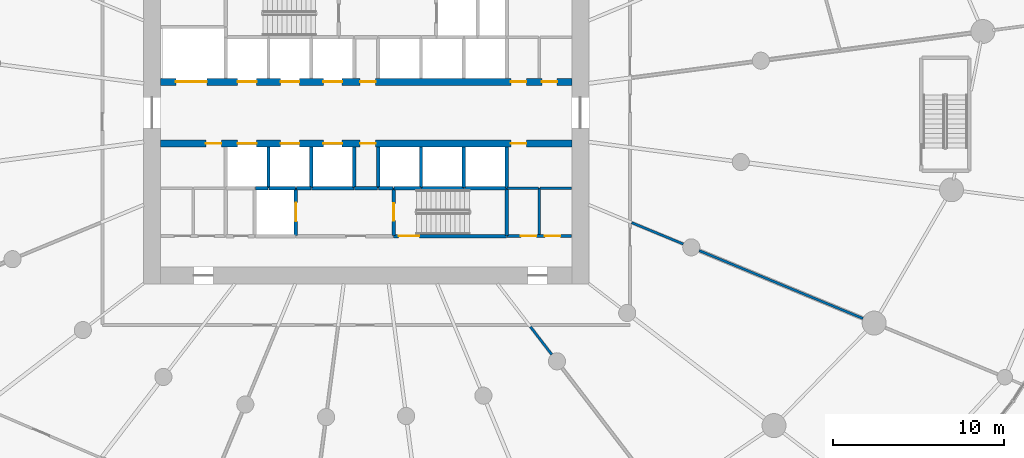
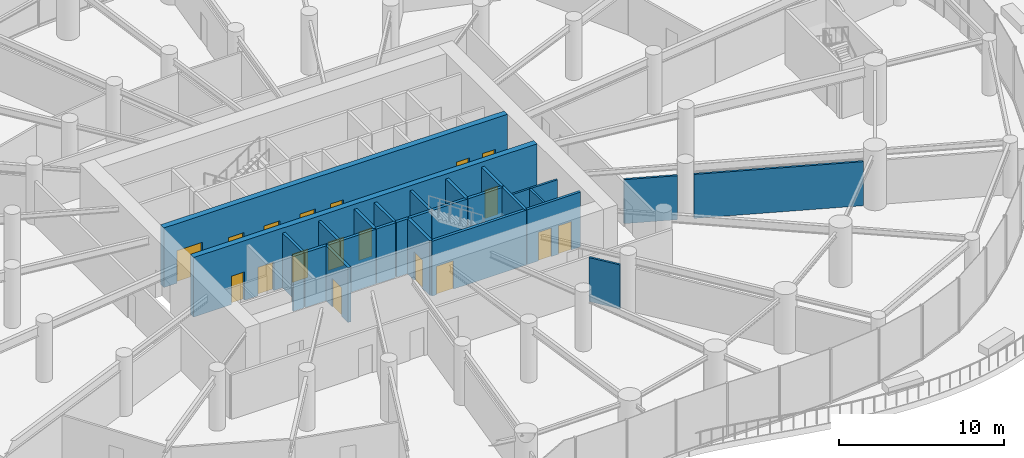
# One storey, part 12 of 19: 29 walls, 18 doors, 18 openings.
"""IFC4 building model written with IfcOpenShell, lengths in metres."""

from ifc_helpers import new_model, si_unit, direction, frame, frame_2d, origin, place, context, subcontext, project, spatial, rectangle, extrude, source, transform, mapped, material, layer, layer_set, type_object, element, fill, save


model = new_model("IFC4")

# Units and contexts
model_context = context("Model", 3, precision=1e-05, world=origin(), true_north=direction((0.0, 1.0)))
body_context = subcontext(model_context, "Body", "Model", "MODEL_VIEW")
ifc_project = project(units=[si_unit("LENGTHUNIT", "METRE"), si_unit("AREAUNIT", "SQUARE_METRE"), si_unit("VOLUMEUNIT", "CUBIC_METRE"), si_unit("PLANEANGLEUNIT", "RADIAN"), si_unit("MASSUNIT", "GRAM", prefix="KILO")], contexts=[model_context])

# Site, building, storey
site_placement = place(None, origin())
site = spatial("IfcSite", under=ifc_project, at=site_placement, CompositionType="ELEMENT")
building_placement = place(site_placement, origin())
building = spatial("IfcBuilding", under=site, at=building_placement, Name="Spindrift Exchange Tower", CompositionType="ELEMENT")
storey_placement = place(building_placement, frame((0.0, 0.0, 13.800048828125)))
storey = spatial("IfcBuildingStorey", under=building, at=storey_placement, Name="L03", CompositionType="ELEMENT", Elevation=13.800048828125)

# Wall, openings, doors
ifc_material_1 = material(Name="Concrete 80 MPa", Category="concrete")
ifc_layer_1 = layer(ifc_material_1, 0.39990234375)
ifc_layer_set_1 = layer_set([ifc_layer_1], Name="RC Spine Wall 400 Concrete 80 MPa")
wall_type_1 = type_object("IfcWallType", Name="RC Spine Wall 400 Concrete 80 MPa", PredefinedType="SHEAR", material=ifc_layer_set_1)
wall_1_placement = place(storey_placement, frame((40.0, 49.800048828125, 0.0), z_axis=(0.0, 0.0, 1.0), x_axis=(1.0, 0.0, 0.0)))
wall_1 = element("IfcWall", 1, at=wall_1_placement, inside=storey, type_object=wall_type_1, Name="Core spine wall N L03", PredefinedType="SHEAR", context=body_context, shape_type="SweptSolid", body=[
    extrude(rectangle(XDim=24.0, YDim=0.39990234375, at=frame_2d((12.0, 0.0))), origin(), (0.0, 0.0, 1.0), 4.39990234375),
])
opening_1_placement = place(wall_1_placement, frame((4.5, 0.0, 0.0)))
opening_1 = element("IfcOpeningElement", 2, at=opening_1_placement, cuts=wall_1, Name="Opening L03-D3", PredefinedType="OPENING", context=body_context, shape_type="SweptSolid", body=[
    extrude(rectangle(XDim=1.10009765625, YDim=2.10009765625, at=frame_2d((0.550048828125, 1.050048828125))), frame((0.0, 0.2099609375, 0.0), z_axis=(0.0, -1.0, 0.0), x_axis=(1.0, 0.0, 0.0)), (0.0, 0.0, 1.0), 0.419921875),
])
opening_2_placement = place(wall_1_placement, frame((7.0, 0.0, 0.0)))
opening_2 = element("IfcOpeningElement", 3, at=opening_2_placement, cuts=wall_1, Name="Opening L03-D4", PredefinedType="OPENING", context=body_context, shape_type="SweptSolid", body=[
    extrude(rectangle(XDim=1.10009765625, YDim=2.10009765625, at=frame_2d((0.550048828125, 1.050048828125))), frame((0.0, 0.2099609375, 0.0), z_axis=(0.0, -1.0, 0.0), x_axis=(1.0, 0.0, 0.0)), (0.0, 0.0, 1.0), 0.419921875),
])
opening_3_placement = place(wall_1_placement, frame((9.5, 0.0, 0.0)))
opening_3 = element("IfcOpeningElement", 4, at=opening_3_placement, cuts=wall_1, Name="Opening L03-D5", PredefinedType="OPENING", context=body_context, shape_type="SweptSolid", body=[
    extrude(rectangle(XDim=1.10009765625, YDim=2.10009765625, at=frame_2d((0.550048828125, 1.050048828125))), frame((0.0, 0.2099609375, 0.0), z_axis=(0.0, -1.0, 0.0), x_axis=(1.0, 0.0, 0.0)), (0.0, 0.0, 1.0), 0.419921875),
])
opening_4_placement = place(wall_1_placement, frame((0.89990234375, 0.0, 0.0)))
opening_4 = element("IfcOpeningElement", 5, at=opening_4_placement, cuts=wall_1, Name="Opening L03-D12", PredefinedType="OPENING", context=body_context, shape_type="SweptSolid", body=[
    extrude(rectangle(XDim=1.800048828125, YDim=2.39990234375, at=frame_2d((0.89990234375, 1.199951171875))), frame((0.0, 0.2099609375, 0.0), z_axis=(0.0, -1.0, 0.0), x_axis=(1.0, 0.0, 0.0)), (0.0, 0.0, 1.0), 0.419921875),
])
opening_5_placement = place(wall_1_placement, frame((20.449951171875, 0.0, 0.0)))
opening_5 = element("IfcOpeningElement", 6, at=opening_5_placement, cuts=wall_1, Name="Opening L03-D46", PredefinedType="OPENING", context=body_context, shape_type="SweptSolid", body=[
    extrude(rectangle(XDim=0.89990234375, YDim=2.10009765625, at=frame_2d((0.449951171875, 1.050048828125))), frame((0.0, 0.2099609375, 0.0), z_axis=(0.0, -1.0, 0.0), x_axis=(1.0, 0.0, 0.0)), (0.0, 0.0, 1.0), 0.419921875),
])
opening_6_placement = place(wall_1_placement, frame((22.25, 0.0, 0.0)))
opening_6 = element("IfcOpeningElement", 7, at=opening_6_placement, cuts=wall_1, Name="Opening L03-D47", PredefinedType="OPENING", context=body_context, shape_type="SweptSolid", body=[
    extrude(rectangle(XDim=0.89990234375, YDim=2.10009765625, at=frame_2d((0.449951171875, 1.050048828125))), frame((0.0, 0.2099609375, 0.0), z_axis=(0.0, -1.0, 0.0), x_axis=(1.0, 0.0, 0.0)), (0.0, 0.0, 1.0), 0.419921875),
])
opening_7_placement = place(wall_1_placement, frame((11.64990234375, 0.0, 0.0)))
opening_7 = element("IfcOpeningElement", 8, at=opening_7_placement, cuts=wall_1, Name="Opening L03-D52", PredefinedType="OPENING", context=body_context, shape_type="SweptSolid", body=[
    extrude(rectangle(XDim=0.89990234375, YDim=2.10009765625, at=frame_2d((0.449951171875, 1.050048828125))), frame((0.0, 0.2099609375, 0.0), z_axis=(0.0, -1.0, 0.0), x_axis=(1.0, 0.0, 0.0)), (0.0, 0.0, 1.0), 0.419921875),
])
ifc_material_2 = material(Name="Stainless steel landing door", Category="steel")
door_type_1 = type_object("IfcDoorType", Name="DR-LANDING-1100-SL", OperationType="DOUBLE_DOOR_SLIDING", PredefinedType="USERDEFINED", material=ifc_material_2)
shared_shape_1 = source(origin(), body_context, "Body", "SweptSolid", [
    extrude(rectangle(XDim=1.10009765625, YDim=2.10009765625, at=frame_2d((0.550048828125, 1.050048828125))), frame((0.0, 0.02490234375, 0.0), z_axis=(0.0, -1.0, 0.0), x_axis=(1.0, 0.0, 0.0)), (0.0, 0.0, 1.0), 0.050048828125),
])
door_1_placement = place(opening_1_placement, origin())
door_1 = element("IfcDoor", 9, at=door_1_placement, inside=storey, type_object=door_type_1, Name="L03 Lift landing door 3", ObjectType="LANDING DOOR", OperationType="DOUBLE_DOOR_SLIDING", OverallHeight=2.10009765625, OverallWidth=1.10009765625, PredefinedType="USERDEFINED", context=body_context, shape_type="MappedRepresentation", body=[
    mapped(shared_shape_1, transform((0.0, 0.0, 0.0), scale=1.0)),
])
fill(opening_1, door_1)
door_2_placement = place(opening_2_placement, origin())
door_2 = element("IfcDoor", 10, at=door_2_placement, inside=storey, type_object=door_type_1, Name="L03 Lift landing door 4", ObjectType="LANDING DOOR", OperationType="DOUBLE_DOOR_SLIDING", OverallHeight=2.10009765625, OverallWidth=1.10009765625, PredefinedType="USERDEFINED", context=body_context, shape_type="MappedRepresentation", body=[
    mapped(shared_shape_1, transform((0.0, 0.0, 0.0), scale=1.0)),
])
fill(opening_2, door_2)
door_3_placement = place(opening_3_placement, origin())
door_3 = element("IfcDoor", 11, at=door_3_placement, inside=storey, type_object=door_type_1, Name="L03 Lift landing door 5", ObjectType="LANDING DOOR", OperationType="DOUBLE_DOOR_SLIDING", OverallHeight=2.10009765625, OverallWidth=1.10009765625, PredefinedType="USERDEFINED", context=body_context, shape_type="MappedRepresentation", body=[
    mapped(shared_shape_1, transform((0.0, 0.0, 0.0), scale=1.0)),
])
fill(opening_3, door_3)
door_type_2 = type_object("IfcDoorType", Name="DR-LANDING-1800-SL", OperationType="DOUBLE_DOOR_SLIDING", PredefinedType="USERDEFINED", material=ifc_material_2)
shared_shape_2 = source(origin(), body_context, "Body", "SweptSolid", [
    extrude(rectangle(XDim=1.800048828125, YDim=2.39990234375, at=frame_2d((0.89990234375, 1.199951171875))), frame((0.0, 0.02490234375, 0.0), z_axis=(0.0, -1.0, 0.0), x_axis=(1.0, 0.0, 0.0)), (0.0, 0.0, 1.0), 0.050048828125),
])
door_4_placement = place(opening_4_placement, origin())
door_4 = element("IfcDoor", 12, at=door_4_placement, inside=storey, type_object=door_type_2, Name="L03 Lift landing door 12", ObjectType="LANDING DOOR", OperationType="DOUBLE_DOOR_SLIDING", OverallHeight=2.39990234375, OverallWidth=1.800048828125, PredefinedType="USERDEFINED", context=body_context, shape_type="MappedRepresentation", body=[
    mapped(shared_shape_2, transform((0.0, 0.0, 0.0), scale=1.0)),
])
fill(opening_4, door_4)
ifc_material_3 = material(Name="Steel access door", Category="steel")
door_type_3 = type_object("IfcDoorType", Name="DR-RISER-900", OperationType="NOTDEFINED", PredefinedType="DOOR", material=ifc_material_3)
shared_shape_3 = source(origin(), body_context, "Body", "SweptSolid", [
    extrude(rectangle(XDim=0.89990234375, YDim=2.10009765625, at=frame_2d((0.449951171875, 1.050048828125))), frame((0.0, 0.02490234375, 0.0), z_axis=(0.0, -1.0, 0.0), x_axis=(1.0, 0.0, 0.0)), (0.0, 0.0, 1.0), 0.050048828125),
])
door_5_placement = place(opening_5_placement, origin())
door_5 = element("IfcDoor", 13, at=door_5_placement, inside=storey, type_object=door_type_3, Name="L03 Riser door 46", OperationType="SINGLE_SWING_RIGHT", OverallHeight=2.10009765625, OverallWidth=0.89990234375, PredefinedType="DOOR", context=body_context, shape_type="MappedRepresentation", body=[
    mapped(shared_shape_3, transform((0.0, 0.0, 0.0), scale=1.0)),
])
fill(opening_5, door_5)
door_6_placement = place(opening_6_placement, origin())
door_6 = element("IfcDoor", 14, at=door_6_placement, inside=storey, type_object=door_type_3, Name="L03 Riser door 47", OperationType="SINGLE_SWING_LEFT", OverallHeight=2.10009765625, OverallWidth=0.89990234375, PredefinedType="DOOR", context=body_context, shape_type="MappedRepresentation", body=[
    mapped(shared_shape_3, transform((0.0, 0.0, 0.0), scale=1.0)),
])
fill(opening_6, door_6)
door_7_placement = place(opening_7_placement, origin())
door_7 = element("IfcDoor", 15, at=door_7_placement, inside=storey, type_object=door_type_3, Name="L03 Riser door 52", OperationType="SINGLE_SWING_RIGHT", OverallHeight=2.10009765625, OverallWidth=0.89990234375, PredefinedType="DOOR", context=body_context, shape_type="MappedRepresentation", body=[
    mapped(shared_shape_3, transform((0.0, 0.0, 0.0), scale=1.0)),
])
fill(opening_7, door_7)

wall_2_placement = place(storey_placement, frame((40.0, 46.199951171875, 0.0), z_axis=(0.0, 0.0, 1.0), x_axis=(1.0, 0.0, 0.0)))
wall_2 = element("IfcWall", 16, at=wall_2_placement, inside=storey, type_object=wall_type_1, Name="Core spine wall S L03", PredefinedType="SHEAR", context=body_context, shape_type="SweptSolid", body=[
    extrude(rectangle(XDim=24.0, YDim=0.39990234375, at=frame_2d((12.0, 0.0))), origin(), (0.0, 0.0, 1.0), 4.39990234375),
])
opening_8_placement = place(wall_2_placement, frame((4.5, 0.0, 0.0)))
opening_8 = element("IfcOpeningElement", 17, at=opening_8_placement, cuts=wall_2, Name="Opening L03-D6", PredefinedType="OPENING", context=body_context, shape_type="SweptSolid", body=[
    extrude(rectangle(XDim=1.10009765625, YDim=2.10009765625, at=frame_2d((0.550048828125, 1.050048828125))), frame((0.0, 0.2099609375, 0.0), z_axis=(0.0, -1.0, 0.0), x_axis=(1.0, 0.0, 0.0)), (0.0, 0.0, 1.0), 0.419921875),
])
opening_9_placement = place(wall_2_placement, frame((7.0, 0.0, 0.0)))
opening_9 = element("IfcOpeningElement", 18, at=opening_9_placement, cuts=wall_2, Name="Opening L03-D7", PredefinedType="OPENING", context=body_context, shape_type="SweptSolid", body=[
    extrude(rectangle(XDim=1.10009765625, YDim=2.10009765625, at=frame_2d((0.550048828125, 1.050048828125))), frame((0.0, 0.2099609375, 0.0), z_axis=(0.0, -1.0, 0.0), x_axis=(1.0, 0.0, 0.0)), (0.0, 0.0, 1.0), 0.419921875),
])
opening_10_placement = place(wall_2_placement, frame((9.5, 0.0, 0.0)))
opening_10 = element("IfcOpeningElement", 19, at=opening_10_placement, cuts=wall_2, Name="Opening L03-D8", PredefinedType="OPENING", context=body_context, shape_type="SweptSolid", body=[
    extrude(rectangle(XDim=1.10009765625, YDim=2.10009765625, at=frame_2d((0.550048828125, 1.050048828125))), frame((0.0, 0.2099609375, 0.0), z_axis=(0.0, -1.0, 0.0), x_axis=(1.0, 0.0, 0.0)), (0.0, 0.0, 1.0), 0.419921875),
])
opening_11_placement = place(wall_2_placement, frame((20.449951171875, 0.0, 0.0)))
opening_11 = element("IfcOpeningElement", 20, at=opening_11_placement, cuts=wall_2, Name="Opening L03-D45", PredefinedType="OPENING", context=body_context, shape_type="SweptSolid", body=[
    extrude(rectangle(XDim=0.89990234375, YDim=2.10009765625, at=frame_2d((0.449951171875, 1.050048828125))), frame((0.0, 0.2099609375, 0.0), z_axis=(0.0, -1.0, 0.0), x_axis=(1.0, 0.0, 0.0)), (0.0, 0.0, 1.0), 0.419921875),
])
opening_12_placement = place(wall_2_placement, frame((2.64990234375, 0.0, 0.0)))
opening_12 = element("IfcOpeningElement", 21, at=opening_12_placement, cuts=wall_2, Name="Opening L03-D51", PredefinedType="OPENING", context=body_context, shape_type="SweptSolid", body=[
    extrude(rectangle(XDim=0.89990234375, YDim=2.10009765625, at=frame_2d((0.449951171875, 1.050048828125))), frame((0.0, 0.2099609375, 0.0), z_axis=(0.0, -1.0, 0.0), x_axis=(1.0, 0.0, 0.0)), (0.0, 0.0, 1.0), 0.419921875),
])
opening_13_placement = place(wall_2_placement, frame((11.64990234375, 0.0, 0.0)))
opening_13 = element("IfcOpeningElement", 22, at=opening_13_placement, cuts=wall_2, Name="Opening L03-D53", PredefinedType="OPENING", context=body_context, shape_type="SweptSolid", body=[
    extrude(rectangle(XDim=0.89990234375, YDim=2.10009765625, at=frame_2d((0.449951171875, 1.050048828125))), frame((0.0, 0.2099609375, 0.0), z_axis=(0.0, -1.0, 0.0), x_axis=(1.0, 0.0, 0.0)), (0.0, 0.0, 1.0), 0.419921875),
])
door_8_placement = place(opening_8_placement, origin())
door_8 = element("IfcDoor", 23, at=door_8_placement, inside=storey, type_object=door_type_1, Name="L03 Lift landing door 6", ObjectType="LANDING DOOR", OperationType="DOUBLE_DOOR_SLIDING", OverallHeight=2.10009765625, OverallWidth=1.10009765625, PredefinedType="USERDEFINED", context=body_context, shape_type="MappedRepresentation", body=[
    mapped(shared_shape_1, transform((0.0, 0.0, 0.0), scale=1.0)),
])
fill(opening_8, door_8)
door_9_placement = place(opening_9_placement, origin())
door_9 = element("IfcDoor", 24, at=door_9_placement, inside=storey, type_object=door_type_1, Name="L03 Lift landing door 7", ObjectType="LANDING DOOR", OperationType="DOUBLE_DOOR_SLIDING", OverallHeight=2.10009765625, OverallWidth=1.10009765625, PredefinedType="USERDEFINED", context=body_context, shape_type="MappedRepresentation", body=[
    mapped(shared_shape_1, transform((0.0, 0.0, 0.0), scale=1.0)),
])
fill(opening_9, door_9)
door_10_placement = place(opening_10_placement, origin())
door_10 = element("IfcDoor", 25, at=door_10_placement, inside=storey, type_object=door_type_1, Name="L03 Lift landing door 8", ObjectType="LANDING DOOR", OperationType="DOUBLE_DOOR_SLIDING", OverallHeight=2.10009765625, OverallWidth=1.10009765625, PredefinedType="USERDEFINED", context=body_context, shape_type="MappedRepresentation", body=[
    mapped(shared_shape_1, transform((0.0, 0.0, 0.0), scale=1.0)),
])
fill(opening_10, door_10)
door_11_placement = place(opening_11_placement, origin())
door_11 = element("IfcDoor", 26, at=door_11_placement, inside=storey, type_object=door_type_3, Name="L03 Riser door 45", OperationType="SINGLE_SWING_LEFT", OverallHeight=2.10009765625, OverallWidth=0.89990234375, PredefinedType="DOOR", context=body_context, shape_type="MappedRepresentation", body=[
    mapped(shared_shape_3, transform((0.0, 0.0, 0.0), scale=1.0)),
])
fill(opening_11, door_11)
door_12_placement = place(opening_12_placement, origin())
door_12 = element("IfcDoor", 27, at=door_12_placement, inside=storey, type_object=door_type_3, Name="L03 Riser door 51", OperationType="SINGLE_SWING_LEFT", OverallHeight=2.10009765625, OverallWidth=0.89990234375, PredefinedType="DOOR", context=body_context, shape_type="MappedRepresentation", body=[
    mapped(shared_shape_3, transform((0.0, 0.0, 0.0), scale=1.0)),
])
fill(opening_12, door_12)
door_13_placement = place(opening_13_placement, origin())
door_13 = element("IfcDoor", 28, at=door_13_placement, inside=storey, type_object=door_type_3, Name="L03 Riser door 53", OperationType="SINGLE_SWING_LEFT", OverallHeight=2.10009765625, OverallWidth=0.89990234375, PredefinedType="DOOR", context=body_context, shape_type="MappedRepresentation", body=[
    mapped(shared_shape_3, transform((0.0, 0.0, 0.0), scale=1.0)),
])
fill(opening_13, door_13)

ifc_material_4 = material(Name="Fire-rated plasterboard partition", Category="gypsum")
ifc_layer_2 = layer(ifc_material_4, 0.179931640625)
ifc_layer_set_2 = layer_set([ifc_layer_2], Name="W-CORR-180")
wall_type_2 = type_object("IfcWallType", Name="W-CORR-180", PredefinedType="PARTITIONING", material=ifc_layer_set_2)
wall_3_placement = place(storey_placement, frame((60.22998046875, 40.800048828125, 0.0), z_axis=(0.0, 0.0, 1.0), x_axis=(1.0, 0.0, 0.0)))
wall_3 = element("IfcWall", 29, at=wall_3_placement, inside=storey, type_object=wall_type_2, Name="L03 Partition wall 67", PredefinedType="PARTITIONING", context=body_context, shape_type="SweptSolid", body=[
    extrude(rectangle(XDim=3.75, YDim=0.179931640625, at=frame_2d((1.875, 0.0))), origin(), (0.0, 0.0, 1.0), 4.050048828125),
])
opening_14_placement = place(wall_3_placement, frame((0.800048828125, 0.0, 0.0)))
opening_14 = element("IfcOpeningElement", 30, at=opening_14_placement, cuts=wall_3, Name="Opening L03-D49", PredefinedType="OPENING", context=body_context, shape_type="SweptSolid", body=[
    extrude(rectangle(XDim=0.89990234375, YDim=2.10009765625, at=frame_2d((0.449951171875, 1.050048828125))), frame((0.0, 0.099853515625, 0.0), z_axis=(0.0, -1.0, 0.0), x_axis=(1.0, 0.0, 0.0)), (0.0, 0.0, 1.0), 0.199951171875),
])
opening_15_placement = place(wall_3_placement, frame((2.199951171875, 0.0, 0.0)))
opening_15 = element("IfcOpeningElement", 31, at=opening_15_placement, cuts=wall_3, Name="Opening L03-D50", PredefinedType="OPENING", context=body_context, shape_type="SweptSolid", body=[
    extrude(rectangle(XDim=0.89990234375, YDim=2.10009765625, at=frame_2d((0.449951171875, 1.050048828125))), frame((0.0, 0.099853515625, 0.0), z_axis=(0.0, -1.0, 0.0), x_axis=(1.0, 0.0, 0.0)), (0.0, 0.0, 1.0), 0.199951171875),
])
door_14_placement = place(opening_14_placement, origin())
door_14 = element("IfcDoor", 32, at=door_14_placement, inside=storey, type_object=door_type_3, Name="L03 Riser door 49", OperationType="SINGLE_SWING_LEFT", OverallHeight=2.10009765625, OverallWidth=0.89990234375, PredefinedType="DOOR", context=body_context, shape_type="MappedRepresentation", body=[
    mapped(shared_shape_3, transform((0.0, 0.0, 0.0), scale=1.0)),
])
fill(opening_14, door_14)
door_15_placement = place(opening_15_placement, origin())
door_15 = element("IfcDoor", 33, at=door_15_placement, inside=storey, type_object=door_type_3, Name="L03 Riser door 50", OperationType="SINGLE_SWING_RIGHT", OverallHeight=2.10009765625, OverallWidth=0.89990234375, PredefinedType="DOOR", context=body_context, shape_type="MappedRepresentation", body=[
    mapped(shared_shape_3, transform((0.0, 0.0, 0.0), scale=1.0)),
])
fill(opening_15, door_15)

# Walls
ifc_layer_3 = layer(ifc_material_4, 0.139892578125)
ifc_layer_set_3 = layer_set([ifc_layer_3], Name="W-PART-140")
wall_type_3 = type_object("IfcWallType", Name="W-PART-140", PredefinedType="PARTITIONING", material=ifc_layer_set_3)
wall_4_placement = place(storey_placement, frame((71.439208984375, 39.947998046875, 0.0), z_axis=(0.0, 0.0, 1.0), x_axis=(0.923874685699, -0.382695133396, 0.0)))
element("IfcWall", 34, at=wall_4_placement, inside=storey, type_object=wall_type_3, Name="L03 Partition wall 69", PredefinedType="PARTITIONING", context=body_context, shape_type="SweptSolid", body=[
    extrude(rectangle(XDim=10.341064453125, YDim=0.139892578125, at=frame_2d((5.17041015625, 0.0))), origin(), (0.0, 0.0, 1.0), 3.25),
])
wall_5_placement = place(storey_placement, frame((67.489990234375, 41.583740234375, 0.0), z_axis=(0.0, 0.0, 1.0), x_axis=(0.923911109142, -0.382607190737, 0.0)))
element("IfcWall", 35, at=wall_5_placement, inside=storey, type_object=wall_type_3, Name="L03 Partition wall 107", PredefinedType="PARTITIONING", context=body_context, shape_type="SweptSolid", body=[
    extrude(rectangle(XDim=3.264404296875, YDim=0.139892578125, at=frame_2d((1.63232421875, 0.0))), origin(), (0.0, 0.0, 1.0), 3.25),
])
wall_6_placement = place(storey_placement, frame((62.10009765625, 40.889892578125, 0.0), z_axis=(0.0, 0.0, 1.0), x_axis=(0.0, 1.0, 0.0)))
element("IfcWall", 36, at=wall_6_placement, inside=storey, type_object=wall_type_3, Name="L03 Partition wall 110", PredefinedType="PARTITIONING", context=body_context, shape_type="SweptSolid", body=[
    extrude(rectangle(XDim=2.710205078125, YDim=0.139892578125, at=frame_2d((1.35498046875, 0.0))), origin(), (0.0, 0.0, 1.0), 3.25),
])
wall_7_placement = place(storey_placement, frame((61.583984375, 35.510009765625, 0.0), z_axis=(0.0, 0.0, 1.0), x_axis=(0.608727763541, -0.793379171578, 0.0)))
element("IfcWall", 37, at=wall_7_placement, inside=storey, type_object=wall_type_3, Name="L03 Partition wall 112", PredefinedType="PARTITIONING", context=body_context, shape_type="SweptSolid", body=[
    extrude(rectangle(XDim=2.04150390625, YDim=0.139892578125, at=frame_2d((1.020751953125, 0.0))), origin(), (0.0, 0.0, 1.0), 3.25),
])
wall_8_placement = place(storey_placement, frame((60.22998046875, 43.60009765625, 0.0), z_axis=(0.0, 0.0, 1.0), x_axis=(1.0, 0.0, 0.0)))
element("IfcWall", 38, at=wall_8_placement, inside=storey, type_object=wall_type_3, Name="L03 Partition wall 114", PredefinedType="PARTITIONING", context=body_context, shape_type="SweptSolid", body=[
    extrude(rectangle(XDim=1.840087890625, YDim=0.139892578125, at=frame_2d((0.919921875, 0.0))), origin(), (0.0, 0.0, 1.0), 3.25),
])
wall_9_placement = place(storey_placement, frame((62.1298828125, 43.60009765625, 0.0), z_axis=(0.0, 0.0, 1.0), x_axis=(1.0, 0.0, 0.0)))
element("IfcWall", 39, at=wall_9_placement, inside=storey, type_object=wall_type_3, Name="L03 Partition wall 117", PredefinedType="PARTITIONING", context=body_context, shape_type="SweptSolid", body=[
    extrude(rectangle(XDim=1.85009765625, YDim=0.139892578125, at=frame_2d((0.925048828125, 0.0))), origin(), (0.0, 0.0, 1.0), 3.25),
])

# Wall, opening, door
ifc_material_5 = material(Name="Concrete 40 MPa", Category="concrete")
ifc_layer_4 = layer(ifc_material_5, 0.199951171875)
ifc_layer_set_4 = layer_set([ifc_layer_4], Name="W-SHAFT-200")
wall_type_4 = type_object("IfcWallType", Name="W-SHAFT-200", PredefinedType="SOLIDWALL", material=ifc_layer_set_4)
wall_10_placement = place(storey_placement, frame((47.89990234375, 40.830078125, 0.0), z_axis=(0.0, 0.0, 1.0), x_axis=(0.0, 1.0, 0.0)))
wall_10 = element("IfcWall", 40, at=wall_10_placement, inside=storey, type_object=wall_type_4, Name="L03 Shaft wall 10", PredefinedType="SOLIDWALL", context=body_context, shape_type="SweptSolid", body=[
    extrude(rectangle(XDim=2.77001953125, YDim=0.199951171875, at=frame_2d((1.385009765625, 0.0))), origin(), (0.0, 0.0, 1.0), 4.050048828125),
])
opening_16_placement = place(wall_10_placement, frame((0.820068359375, 0.0, 0.0)))
opening_16 = element("IfcOpeningElement", 41, at=opening_16_placement, cuts=wall_10, Name="Opening L03-D10", PredefinedType="OPENING", context=body_context, shape_type="SweptSolid", body=[
    extrude(rectangle(XDim=1.10009765625, YDim=2.10009765625, at=frame_2d((0.550048828125, 1.050048828125))), frame((0.0, 0.10986328125, 0.0), z_axis=(0.0, -1.0, 0.0), x_axis=(1.0, 0.0, 0.0)), (0.0, 0.0, 1.0), 0.219970703125),
])
door_16_placement = place(opening_16_placement, origin())
door_16 = element("IfcDoor", 42, at=door_16_placement, inside=storey, type_object=door_type_1, Name="L03 Lift landing door 10", ObjectType="LANDING DOOR", OperationType="DOUBLE_DOOR_SLIDING", OverallHeight=2.10009765625, OverallWidth=1.10009765625, PredefinedType="USERDEFINED", context=body_context, shape_type="MappedRepresentation", body=[
    mapped(shared_shape_1, transform((0.0, 0.0, 0.0), scale=1.0)),
])
fill(opening_16, door_16)

# Walls
wall_11_placement = place(storey_placement, frame((48.800048828125, 43.60009765625, 0.0), z_axis=(0.0, 0.0, 1.0), x_axis=(1.0, 0.0, 0.0)))
element("IfcWall", 43, at=wall_11_placement, inside=storey, type_object=wall_type_4, Name="L03 Shaft wall 21", PredefinedType="SOLIDWALL", context=body_context, shape_type="SweptSolid", body=[
    extrude(rectangle(XDim=2.5, YDim=0.199951171875, at=frame_2d((1.25, 0.0))), origin(), (0.0, 0.0, 1.0), 4.050048828125),
])
wall_12_placement = place(storey_placement, frame((46.300048828125, 43.60009765625, 0.0), z_axis=(0.0, 0.0, 1.0), x_axis=(0.0, 1.0, 0.0)))
element("IfcWall", 44, at=wall_12_placement, inside=storey, type_object=wall_type_4, Name="L03 Shaft wall 29", PredefinedType="SOLIDWALL", context=body_context, shape_type="SweptSolid", body=[
    extrude(rectangle(XDim=2.389892578125, YDim=0.199951171875, at=frame_2d((1.19482421875, 0.0))), origin(), (0.0, 0.0, 1.0), 4.050048828125),
])
for number, where, z_axis, x_axis, name in (
    (45, (48.800048828125, 43.6298828125, 0.0), (0.0, 0.0, 1.0), (0.0, 1.0, 0.0), "L03 Shaft wall 31"),
    (46, (51.300048828125, 43.6298828125, 0.0), (0.0, 0.0, 1.0), (0.0, 1.0, 0.0), "L03 Shaft wall 33"),
):
    element("IfcWall", number, at=place(storey_placement, frame(where, z_axis=z_axis, x_axis=x_axis)), inside=storey, type_object=wall_type_4, Name=name, PredefinedType="SOLIDWALL", context=body_context, shape_type="SweptSolid", body=[
        extrude(rectangle(XDim=2.360107421875, YDim=0.199951171875, at=frame_2d((1.18017578125, 0.0))), origin(), (0.0, 0.0, 1.0), 4.050048828125),
    ])
wall_13_placement = place(storey_placement, frame((52.699951171875, 45.989990234375, 0.0), z_axis=(0.0, 0.0, 1.0), x_axis=(0.0, -1.0, 0.0)))
element("IfcWall", 47, at=wall_13_placement, inside=storey, type_object=wall_type_4, Name="L03 Shaft wall 35", PredefinedType="SOLIDWALL", context=body_context, shape_type="SweptSolid", body=[
    extrude(rectangle(XDim=2.389892578125, YDim=0.199951171875, at=frame_2d((1.19482421875, 0.0))), origin(), (0.0, 0.0, 1.0), 4.050048828125),
])
wall_14_placement = place(storey_placement, frame((46.330078125, 43.60009765625, 0.0), z_axis=(0.0, 0.0, 1.0), x_axis=(1.0, 0.0, 0.0)))
element("IfcWall", 48, at=wall_14_placement, inside=storey, type_object=wall_type_4, Name="L03 Shaft wall 48", PredefinedType="SOLIDWALL", context=body_context, shape_type="SweptSolid", body=[
    extrude(rectangle(XDim=1.5400390625, YDim=0.199951171875, at=frame_2d((0.77001953125, 0.0))), origin(), (0.0, 0.0, 1.0), 4.050048828125),
])
wall_15_placement = place(storey_placement, frame((52.669921875, 43.60009765625, 0.0), z_axis=(0.0, 0.0, 1.0), x_axis=(-1.0, 0.0, 0.0)))
element("IfcWall", 49, at=wall_15_placement, inside=storey, type_object=wall_type_4, Name="L03 Shaft wall 52", PredefinedType="SOLIDWALL", context=body_context, shape_type="SweptSolid", body=[
    extrude(rectangle(XDim=1.33984375, YDim=0.199951171875, at=frame_2d((0.669921875, 0.0))), origin(), (0.0, 0.0, 1.0), 4.050048828125),
])
wall_16_placement = place(storey_placement, frame((47.929931640625, 43.60009765625, 0.0), z_axis=(0.0, 0.0, 1.0), x_axis=(1.0, 0.0, 0.0)))
element("IfcWall", 50, at=wall_16_placement, inside=storey, type_object=wall_type_4, Name="L03 Shaft wall 54", PredefinedType="SOLIDWALL", context=body_context, shape_type="SweptSolid", body=[
    extrude(rectangle(XDim=0.840087890625, YDim=0.199951171875, at=frame_2d((0.419921875, 0.0))), origin(), (0.0, 0.0, 1.0), 4.050048828125),
])
wall_17_placement = place(storey_placement, frame((45.530029296875, 43.60009765625, 0.0), z_axis=(0.0, 0.0, 1.0), x_axis=(1.0, 0.0, 0.0)))
element("IfcWall", 51, at=wall_17_placement, inside=storey, type_object=wall_type_4, Name="L03 Shaft wall 58", PredefinedType="SOLIDWALL", context=body_context, shape_type="SweptSolid", body=[
    extrude(rectangle(XDim=0.739990234375, YDim=0.199951171875, at=frame_2d((0.3701171875, 0.0))), origin(), (0.0, 0.0, 1.0), 4.050048828125),
])

# Wall, opening, door
ifc_layer_5 = layer(ifc_material_5, 0.199951171875)
ifc_layer_set_5 = layer_set([ifc_layer_5], Name="W-SHAFT-200-LB")
wall_type_5 = type_object("IfcWallType", Name="W-SHAFT-200-LB", PredefinedType="SOLIDWALL", material=ifc_layer_set_5)
wall_18_placement = place(storey_placement, frame((53.60009765625, 40.800048828125, 0.0), z_axis=(0.0, 0.0, 1.0), x_axis=(1.0, 0.0, 0.0)))
wall_18 = element("IfcWall", 52, at=wall_18_placement, inside=storey, type_object=wall_type_5, Name="L03 Shaft wall 2", PredefinedType="SOLIDWALL", context=body_context, shape_type="SweptSolid", body=[
    extrude(rectangle(XDim=6.599853515625, YDim=0.199951171875, at=frame_2d((3.2998046875, 0.0))), origin(), (0.0, 0.0, 1.0), 4.050048828125),
])
opening_17_placement = place(wall_18_placement, frame((0.300048828125, 0.0, 0.0)))
opening_17 = element("IfcOpeningElement", 53, at=opening_17_placement, cuts=wall_18, Name="Opening L03-D16", PredefinedType="OPENING", context=body_context, shape_type="SweptSolid", body=[
    extrude(rectangle(XDim=1.199951171875, YDim=2.10009765625, at=frame_2d((0.60009765625, 1.050048828125))), frame((0.0, 0.10986328125, 0.0), z_axis=(0.0, -1.0, 0.0), x_axis=(1.0, 0.0, 0.0)), (0.0, 0.0, 1.0), 0.219970703125),
])
ifc_material_6 = material(Name="Steel fire door", Category="steel")
door_type_4 = type_object("IfcDoorType", Name="DR-STAIR-1200", OperationType="NOTDEFINED", PredefinedType="DOOR", material=ifc_material_6)
shared_shape_4 = source(origin(), body_context, "Body", "SweptSolid", [
    extrude(rectangle(XDim=1.199951171875, YDim=2.10009765625, at=frame_2d((0.60009765625, 1.050048828125))), frame((0.0, 0.02490234375, 0.0), z_axis=(0.0, -1.0, 0.0), x_axis=(1.0, 0.0, 0.0)), (0.0, 0.0, 1.0), 0.050048828125),
])
door_17_placement = place(opening_17_placement, origin())
door_17 = element("IfcDoor", 54, at=door_17_placement, inside=storey, type_object=door_type_4, Name="L03 Stair door 16", OperationType="SINGLE_SWING_RIGHT", OverallHeight=2.10009765625, OverallWidth=1.199951171875, PredefinedType="DOOR", context=body_context, shape_type="MappedRepresentation", body=[
    mapped(shared_shape_4, transform((0.0, 0.0, 0.0), scale=1.0)),
])
fill(opening_17, door_17)

# Wall
wall_19_placement = place(storey_placement, frame((60.199951171875, 40.830078125, 0.0), z_axis=(0.0, 0.0, 1.0), x_axis=(0.0, 1.0, 0.0)))
element("IfcWall", 55, at=wall_19_placement, inside=storey, type_object=wall_type_5, Name="L03 Shaft wall 12", PredefinedType="SOLIDWALL", context=body_context, shape_type="SweptSolid", body=[
    extrude(rectangle(XDim=2.77001953125, YDim=0.199951171875, at=frame_2d((1.385009765625, 0.0))), origin(), (0.0, 0.0, 1.0), 4.050048828125),
])

# Wall, opening, door
wall_20_placement = place(storey_placement, frame((53.60009765625, 43.60009765625, 0.0), z_axis=(0.0, 0.0, 1.0), x_axis=(0.0, -1.0, 0.0)))
wall_20 = element("IfcWall", 56, at=wall_20_placement, inside=storey, type_object=wall_type_5, Name="L03 Shaft wall 13", PredefinedType="SOLIDWALL", context=body_context, shape_type="SweptSolid", body=[
    extrude(rectangle(XDim=2.77001953125, YDim=0.199951171875, at=frame_2d((1.385009765625, 0.0))), origin(), (0.0, 0.0, 1.0), 4.050048828125),
])
opening_18_placement = place(wall_20_placement, frame((0.89990234375, 0.0, 0.0)))
opening_18 = element("IfcOpeningElement", 57, at=opening_18_placement, cuts=wall_20, Name="Opening L03-D17", PredefinedType="OPENING", context=body_context, shape_type="SweptSolid", body=[
    extrude(rectangle(XDim=1.0, YDim=2.10009765625, at=frame_2d((0.5, 1.050048828125))), frame((0.0, 0.10986328125, 0.0), z_axis=(0.0, -1.0, 0.0), x_axis=(1.0, 0.0, 0.0)), (0.0, 0.0, 1.0), 0.219970703125),
])
door_type_5 = type_object("IfcDoorType", Name="DR-STAIR-1000", OperationType="NOTDEFINED", PredefinedType="DOOR", material=ifc_material_6)
shared_shape_5 = source(origin(), body_context, "Body", "SweptSolid", [
    extrude(rectangle(XDim=1.0, YDim=2.10009765625, at=frame_2d((0.5, 1.050048828125))), frame((0.0, 0.02490234375, 0.0), z_axis=(0.0, -1.0, 0.0), x_axis=(1.0, 0.0, 0.0)), (0.0, 0.0, 1.0), 0.050048828125),
])
door_18_placement = place(opening_18_placement, origin())
door_18 = element("IfcDoor", 58, at=door_18_placement, inside=storey, type_object=door_type_5, Name="L03 Stair door 17", OperationType="SINGLE_SWING_LEFT", OverallHeight=2.10009765625, OverallWidth=1.0, PredefinedType="DOOR", context=body_context, shape_type="MappedRepresentation", body=[
    mapped(shared_shape_5, transform((0.0, 0.0, 0.0), scale=1.0)),
])
fill(opening_18, door_18)

# Walls
wall_21_placement = place(storey_placement, frame((55.199951171875, 43.60009765625, 0.0), z_axis=(0.0, 0.0, 1.0), x_axis=(1.0, 0.0, 0.0)))
element("IfcWall", 59, at=wall_21_placement, inside=storey, type_object=wall_type_5, Name="L03 Shaft wall 23", PredefinedType="SOLIDWALL", context=body_context, shape_type="SweptSolid", body=[
    extrude(rectangle(XDim=2.5, YDim=0.199951171875, at=frame_2d((1.25, 0.0))), origin(), (0.0, 0.0, 1.0), 4.050048828125),
])
wall_22_placement = place(storey_placement, frame((57.72998046875, 43.60009765625, 0.0), z_axis=(0.0, 0.0, 1.0), x_axis=(1.0, 0.0, 0.0)))
element("IfcWall", 60, at=wall_22_placement, inside=storey, type_object=wall_type_5, Name="L03 Shaft wall 24", PredefinedType="SOLIDWALL", context=body_context, shape_type="SweptSolid", body=[
    extrude(rectangle(XDim=2.43994140625, YDim=0.199951171875, at=frame_2d((1.219970703125, 0.0))), origin(), (0.0, 0.0, 1.0), 4.050048828125),
])
for number, where, z_axis, x_axis, name in (
    (61, (55.199951171875, 43.6298828125, 0.0), (0.0, 0.0, 1.0), (0.0, 1.0, 0.0), "L03 Shaft wall 37"),
    (62, (57.699951171875, 43.6298828125, 0.0), (0.0, 0.0, 1.0), (0.0, 1.0, 0.0), "L03 Shaft wall 39"),
    (63, (60.199951171875, 43.6298828125, 0.0), (0.0, 0.0, 1.0), (0.0, 1.0, 0.0), "L03 Shaft wall 41"),
):
    element("IfcWall", number, at=place(storey_placement, frame(where, z_axis=z_axis, x_axis=x_axis)), inside=storey, type_object=wall_type_5, Name=name, PredefinedType="SOLIDWALL", context=body_context, shape_type="SweptSolid", body=[
        extrude(rectangle(XDim=2.360107421875, YDim=0.199951171875, at=frame_2d((1.18017578125, 0.0))), origin(), (0.0, 0.0, 1.0), 4.050048828125),
    ])
wall_23_placement = place(storey_placement, frame((53.6298828125, 43.60009765625, 0.0), z_axis=(0.0, 0.0, 1.0), x_axis=(1.0, 0.0, 0.0)))
element("IfcWall", 64, at=wall_23_placement, inside=storey, type_object=wall_type_5, Name="L03 Shaft wall 50", PredefinedType="SOLIDWALL", context=body_context, shape_type="SweptSolid", body=[
    extrude(rectangle(XDim=1.5400390625, YDim=0.199951171875, at=frame_2d((0.77001953125, 0.0))), origin(), (0.0, 0.0, 1.0), 4.050048828125),
])
wall_24_placement = place(storey_placement, frame((52.72998046875, 43.60009765625, 0.0), z_axis=(0.0, 0.0, 1.0), x_axis=(1.0, 0.0, 0.0)))
element("IfcWall", 65, at=wall_24_placement, inside=storey, type_object=wall_type_5, Name="L03 Shaft wall 56", PredefinedType="SOLIDWALL", context=body_context, shape_type="SweptSolid", body=[
    extrude(rectangle(XDim=0.840087890625, YDim=0.199951171875, at=frame_2d((0.419921875, 0.0))), origin(), (0.0, 0.0, 1.0), 4.050048828125),
])

save(model, "model.ifc")
